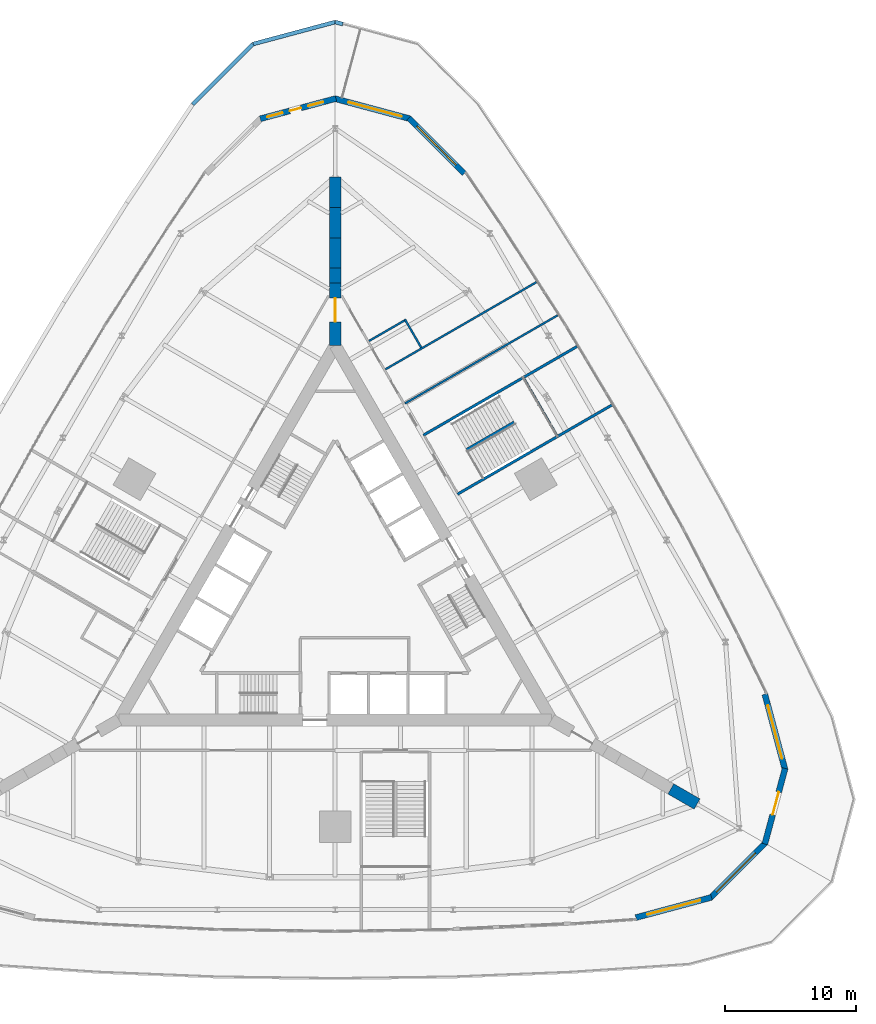
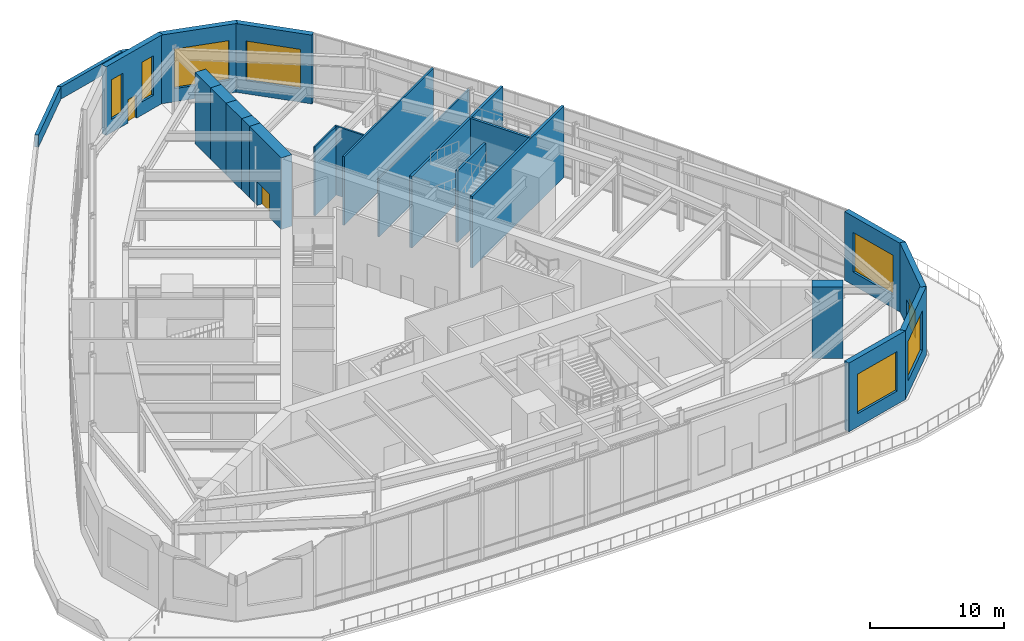
# One storey, part 14 of 19: 24 walls, 7 windows, 3 doors, 10 openings.
"""IFC4 building model written with IfcOpenShell, lengths in metres."""

from ifc_helpers import new_model, si_unit, direction, frame, frame_2d, origin, place, context, subcontext, project, spatial, rectangle, extrude, material, layer, layer_set, type_object, element, fill, save


model = new_model("IFC4")

# Units and contexts
model_context = context("Model", 3, precision=1e-05, world=origin(), true_north=direction((0.0, 1.0)))
body_context = subcontext(model_context, "Body", "Model", "MODEL_VIEW")
ifc_project = project(units=[si_unit("LENGTHUNIT", "METRE"), si_unit("AREAUNIT", "SQUARE_METRE"), si_unit("VOLUMEUNIT", "CUBIC_METRE"), si_unit("PLANEANGLEUNIT", "RADIAN"), si_unit("MASSUNIT", "GRAM", prefix="KILO")], contexts=[model_context])

# Site, building, storey
site_placement = place(None, origin())
site = spatial("IfcSite", under=ifc_project, at=site_placement, CompositionType="ELEMENT")
building_placement = place(site_placement, origin())
building = spatial("IfcBuilding", under=site, at=building_placement, Name="Trikona Tower", CompositionType="ELEMENT")
storey_placement = place(building_placement, frame((0.0, 0.0, 11.0)))
storey = spatial("IfcBuildingStorey", under=building, at=storey_placement, Name="L02", CompositionType="ELEMENT", Elevation=11.0)

# Wall, opening, window
ifc_material_1 = material(Name="Brick-faced precast concrete", Category="masonry")
ifc_layer_1 = layer(ifc_material_1, 0.449951171875)
ifc_layer_set_1 = layer_set([ifc_layer_1], Name="Brick-faced corner wall 450")
wall_type_1 = type_object("IfcWallType", Name="Brick-faced corner wall 450", PredefinedType="SOLIDWALL", material=ifc_layer_set_1)
wall_1_placement = place(storey_placement, frame((22.94189453125, -24.60888671875, 0.0), z_axis=(0.0, 0.0, 1.0), x_axis=(0.965920337451, 0.258839528858, 0.0)))
wall_1 = element("IfcWall", 1, at=wall_1_placement, inside=storey, type_object=wall_type_1, Name="External wall L02-06", PredefinedType="SOLIDWALL", context=body_context, shape_type="SweptSolid", body=[
    extrude(rectangle(XDim=5.97705078125, YDim=0.449951171875, at=frame_2d((2.988525390625, 0.0))), origin(), (0.0, 0.0, 1.0), 6.25),
])
opening_1_placement = place(wall_1_placement, frame((0.888671875, 0.0, 1.199951171875)))
opening_1 = element("IfcOpeningElement", 2, at=opening_1_placement, cuts=wall_1, Name="Opening W4236", PredefinedType="OPENING", context=body_context, shape_type="SweptSolid", body=[
    extrude(rectangle(XDim=4.199951171875, YDim=3.60009765625, at=frame_2d((2.10009765625, 1.800048828125))), frame((0.0, 0.23486328125, 0.0), z_axis=(0.0, -1.0, 0.0), x_axis=(1.0, 0.0, 0.0)), (0.0, 0.0, 1.0), 0.469970703125),
])
ifc_material_2 = material(Name="Aluminium-framed double glazing", Category="aluminium")
window_type_1 = type_object("IfcWindowType", Name="Window 4200x3600", PartitioningType="SINGLE_PANEL", PredefinedType="WINDOW", material=ifc_material_2)
window_1_placement = place(opening_1_placement, origin())
window_1 = element("IfcWindow", 3, at=window_1_placement, inside=storey, type_object=window_type_1, Name="Window L02-PRE", OverallHeight=3.60009765625, OverallWidth=4.199951171875, PartitioningType="SINGLE_PANEL", PredefinedType="WINDOW", context=body_context, shape_type="SweptSolid", body=[
    extrude(rectangle(XDim=4.199951171875, YDim=3.60009765625, at=frame_2d((2.10009765625, 1.800048828125))), frame((0.0, 0.030029296875, 0.0), z_axis=(0.0, -1.0, 0.0), x_axis=(1.0, 0.0, 0.0)), (0.0, 0.0, 1.0), 0.06005859375),
])
fill(opening_1, window_1)

wall_2_placement = place(storey_placement, frame((28.614501953125, -23.1201171875, 0.0), z_axis=(0.0, 0.0, 1.0), x_axis=(0.707086357855, 0.707127203928, 0.0)))
wall_2 = element("IfcWall", 4, at=wall_2_placement, inside=storey, type_object=wall_type_1, Name="External wall L02-07", PredefinedType="SOLIDWALL", context=body_context, shape_type="SweptSolid", body=[
    extrude(rectangle(XDim=5.97705078125, YDim=0.449951171875, at=frame_2d((2.988525390625, 0.0))), origin(), (0.0, 0.0, 1.0), 6.25),
])
opening_2_placement = place(wall_2_placement, frame((0.67041015625, 0.0, 1.199951171875)))
opening_2 = element("IfcOpeningElement", 5, at=opening_2_placement, cuts=wall_2, Name="Opening W4236", PredefinedType="OPENING", context=body_context, shape_type="SweptSolid", body=[
    extrude(rectangle(XDim=4.199951171875, YDim=3.60009765625, at=frame_2d((2.10009765625, 1.800048828125))), frame((0.0, 0.23486328125, 0.0), z_axis=(0.0, -1.0, 0.0), x_axis=(1.0, 0.0, 0.0)), (0.0, 0.0, 1.0), 0.469970703125),
])
window_2_placement = place(opening_2_placement, origin())
window_2 = element("IfcWindow", 6, at=window_2_placement, inside=storey, type_object=window_type_1, Name="Window L02-PRE", OverallHeight=3.60009765625, OverallWidth=4.199951171875, PartitioningType="SINGLE_PANEL", PredefinedType="WINDOW", context=body_context, shape_type="SweptSolid", body=[
    extrude(rectangle(XDim=4.199951171875, YDim=3.60009765625, at=frame_2d((2.10009765625, 1.800048828125))), frame((0.0, 0.030029296875, 0.0), z_axis=(0.0, -1.0, 0.0), x_axis=(1.0, 0.0, 0.0)), (0.0, 0.0, 1.0), 0.06005859375),
])
fill(opening_2, window_2)

# Wall, opening, door
wall_3_placement = place(storey_placement, frame((32.78271484375, -18.994384765625, 0.0), z_axis=(0.0, 0.0, 1.0), x_axis=(0.258801419081, 0.965930548995, 0.0)))
wall_3 = element("IfcWall", 7, at=wall_3_placement, inside=storey, type_object=wall_type_1, Name="External wall L02-08", PredefinedType="SOLIDWALL", context=body_context, shape_type="SweptSolid", body=[
    extrude(rectangle(XDim=5.97705078125, YDim=0.449951171875, at=frame_2d((2.988525390625, 0.0))), origin(), (0.0, 0.0, 1.0), 6.25),
])
opening_3_placement = place(wall_3_placement, frame((2.306884765625, 0.0, 0.0)))
opening_3 = element("IfcOpeningElement", 8, at=opening_3_placement, cuts=wall_3, Name="Opening D8", PredefinedType="OPENING", context=body_context, shape_type="SweptSolid", body=[
    extrude(rectangle(XDim=1.800048828125, YDim=2.39990234375, at=frame_2d((0.89990234375, 1.199951171875))), frame((0.0, 0.23486328125, 0.0), z_axis=(0.0, -1.0, 0.0), x_axis=(1.0, 0.0, 0.0)), (0.0, 0.0, 1.0), 0.469970703125),
])
ifc_material_3 = material(Name="Aluminium-framed glazed door", Category="aluminium")
door_type_1 = type_object("IfcDoorType", Name="Terrace door pair 1800x2400", OperationType="DOUBLE_DOOR_SINGLE_SWING", PredefinedType="DOOR", material=ifc_material_3)
door_1_placement = place(opening_3_placement, origin())
door_1 = element("IfcDoor", 9, at=door_1_placement, inside=storey, type_object=door_type_1, Name="Terrace door Prefunction foyer east", OperationType="DOUBLE_DOOR_SINGLE_SWING", OverallHeight=2.39990234375, OverallWidth=1.800048828125, PredefinedType="DOOR", context=body_context, shape_type="SweptSolid", body=[
    extrude(rectangle(XDim=1.800048828125, YDim=2.39990234375, at=frame_2d((0.89990234375, 1.199951171875))), frame((0.0, 0.02490234375, 0.0), z_axis=(0.0, -1.0, 0.0), x_axis=(1.0, 0.0, 0.0)), (0.0, 0.0, 1.0), 0.050048828125),
])
fill(opening_3, door_1)

# Wall, opening, window
wall_4_placement = place(storey_placement, frame((34.32958984375, -13.33740234375, 0.0), z_axis=(0.0, 0.0, 1.0), x_axis=(-0.258791208569, 0.965933284636, 0.0)))
wall_4 = element("IfcWall", 10, at=wall_4_placement, inside=storey, type_object=wall_type_1, Name="External wall L02-09", PredefinedType="SOLIDWALL", context=body_context, shape_type="SweptSolid", body=[
    extrude(rectangle(XDim=5.977294921875, YDim=0.449951171875, at=frame_2d((2.98876953125, 0.0))), origin(), (0.0, 0.0, 1.0), 6.25),
])
opening_4_placement = place(wall_4_placement, frame((0.888671875, 0.0, 1.199951171875)))
opening_4 = element("IfcOpeningElement", 11, at=opening_4_placement, cuts=wall_4, Name="Opening W4236", PredefinedType="OPENING", context=body_context, shape_type="SweptSolid", body=[
    extrude(rectangle(XDim=4.199951171875, YDim=3.60009765625, at=frame_2d((2.10009765625, 1.800048828125))), frame((0.0, 0.23486328125, 0.0), z_axis=(0.0, -1.0, 0.0), x_axis=(1.0, 0.0, 0.0)), (0.0, 0.0, 1.0), 0.469970703125),
])
window_3_placement = place(opening_4_placement, origin())
window_3 = element("IfcWindow", 12, at=window_3_placement, inside=storey, type_object=window_type_1, Name="Window L02-PRE2", OverallHeight=3.60009765625, OverallWidth=4.199951171875, PartitioningType="SINGLE_PANEL", PredefinedType="WINDOW", context=body_context, shape_type="SweptSolid", body=[
    extrude(rectangle(XDim=4.199951171875, YDim=3.60009765625, at=frame_2d((2.10009765625, 1.800048828125))), frame((0.0, 0.030029296875, 0.0), z_axis=(0.0, -1.0, 0.0), x_axis=(1.0, 0.0, 0.0)), (0.0, 0.0, 1.0), 0.06005859375),
])
fill(opening_4, window_3)

wall_5_placement = place(storey_placement, frame((9.8408203125, 32.172607421875, 0.0), z_axis=(0.0, 0.0, 1.0), x_axis=(-0.707106781187, 0.707106781187, 0.0)))
wall_5 = element("IfcWall", 13, at=wall_5_placement, inside=storey, type_object=wall_type_1, Name="External wall L02-16", PredefinedType="SOLIDWALL", context=body_context, shape_type="SweptSolid", body=[
    extrude(rectangle(XDim=5.976806640625, YDim=0.449951171875, at=frame_2d((2.98828125, 0.0))), origin(), (0.0, 0.0, 1.0), 6.25),
])
opening_5_placement = place(wall_5_placement, frame((0.888671875, 0.0, 1.199951171875)))
opening_5 = element("IfcOpeningElement", 14, at=opening_5_placement, cuts=wall_5, Name="Opening W4236", PredefinedType="OPENING", context=body_context, shape_type="SweptSolid", body=[
    extrude(rectangle(XDim=4.199951171875, YDim=3.60009765625, at=frame_2d((2.10009765625, 1.800048828125))), frame((0.0, 0.23486328125, 0.0), z_axis=(0.0, -1.0, 0.0), x_axis=(1.0, 0.0, 0.0)), (0.0, 0.0, 1.0), 0.469970703125),
])
window_4_placement = place(opening_5_placement, origin())
window_4 = element("IfcWindow", 15, at=window_4_placement, inside=storey, type_object=window_type_1, Name="Window L02-BKT", OverallHeight=3.60009765625, OverallWidth=4.199951171875, PartitioningType="SINGLE_PANEL", PredefinedType="WINDOW", context=body_context, shape_type="SweptSolid", body=[
    extrude(rectangle(XDim=4.199951171875, YDim=3.60009765625, at=frame_2d((2.10009765625, 1.800048828125))), frame((0.0, 0.030029296875, 0.0), z_axis=(0.0, -1.0, 0.0), x_axis=(1.0, 0.0, 0.0)), (0.0, 0.0, 1.0), 0.06005859375),
])
fill(opening_5, window_4)

wall_6_placement = place(storey_placement, frame((5.71533203125, 36.3408203125, 0.0), z_axis=(0.0, 0.0, 1.0), x_axis=(-0.965930548995, 0.258801419081, 0.0)))
wall_6 = element("IfcWall", 16, at=wall_6_placement, inside=storey, type_object=wall_type_1, Name="External wall L02-17", PredefinedType="SOLIDWALL", context=body_context, shape_type="SweptSolid", body=[
    extrude(rectangle(XDim=5.97705078125, YDim=0.449951171875, at=frame_2d((2.988525390625, 0.0))), origin(), (0.0, 0.0, 1.0), 6.25),
])
opening_6_placement = place(wall_6_placement, frame((0.669921875, 0.0, 1.199951171875)))
opening_6 = element("IfcOpeningElement", 17, at=opening_6_placement, cuts=wall_6, Name="Opening W4236", PredefinedType="OPENING", context=body_context, shape_type="SweptSolid", body=[
    extrude(rectangle(XDim=4.199951171875, YDim=3.60009765625, at=frame_2d((2.10009765625, 1.800048828125))), frame((0.0, 0.23486328125, 0.0), z_axis=(0.0, -1.0, 0.0), x_axis=(1.0, 0.0, 0.0)), (0.0, 0.0, 1.0), 0.469970703125),
])
window_5_placement = place(opening_6_placement, origin())
window_5 = element("IfcWindow", 18, at=window_5_placement, inside=storey, type_object=window_type_1, Name="Window L02-BKT", OverallHeight=3.60009765625, OverallWidth=4.199951171875, PartitioningType="SINGLE_PANEL", PredefinedType="WINDOW", context=body_context, shape_type="SweptSolid", body=[
    extrude(rectangle(XDim=4.199951171875, YDim=3.60009765625, at=frame_2d((2.10009765625, 1.800048828125))), frame((0.0, 0.030029296875, 0.0), z_axis=(0.0, -1.0, 0.0), x_axis=(1.0, 0.0, 0.0)), (0.0, 0.0, 1.0), 0.06005859375),
])
fill(opening_6, window_5)

# Wall, openings, door, windows
wall_7_placement = place(storey_placement, frame((0.05810546875, 37.8876953125, 0.0), z_axis=(0.0, 0.0, 1.0), x_axis=(-0.965930548995, -0.258801419081, 0.0)))
wall_7 = element("IfcWall", 19, at=wall_7_placement, inside=storey, type_object=wall_type_1, Name="External wall L02-18", PredefinedType="SOLIDWALL", context=body_context, shape_type="SweptSolid", body=[
    extrude(rectangle(XDim=5.97705078125, YDim=0.449951171875, at=frame_2d((2.988525390625, 0.0))), origin(), (0.0, 0.0, 1.0), 6.25),
])
opening_7_placement = place(wall_7_placement, frame((2.7568359375, 0.0, 0.0)))
opening_7 = element("IfcOpeningElement", 20, at=opening_7_placement, cuts=wall_7, Name="Opening D17", PredefinedType="OPENING", context=body_context, shape_type="SweptSolid", body=[
    extrude(rectangle(XDim=0.89990234375, YDim=2.1298828125, at=frame_2d((0.449951171875, 1.06494140625))), frame((0.0, 0.23486328125, 0.0), z_axis=(0.0, -1.0, 0.0), x_axis=(1.0, 0.0, 0.0)), (0.0, 0.0, 1.0), 0.469970703125),
])
opening_8_placement = place(wall_7_placement, frame((0.99658203125, 0.0, 1.199951171875)))
opening_8 = element("IfcOpeningElement", 21, at=opening_8_placement, cuts=wall_7, Name="Opening W1236", PredefinedType="OPENING", context=body_context, shape_type="SweptSolid", body=[
    extrude(rectangle(XDim=1.199951171875, YDim=3.60009765625, at=frame_2d((0.60009765625, 1.800048828125))), frame((0.0, 0.23486328125, 0.0), z_axis=(0.0, -1.0, 0.0), x_axis=(1.0, 0.0, 0.0)), (0.0, 0.0, 1.0), 0.469970703125),
])
opening_9_placement = place(wall_7_placement, frame((4.217041015625, 0.0, 1.199951171875)))
opening_9 = element("IfcOpeningElement", 22, at=opening_9_placement, cuts=wall_7, Name="Opening W1236", PredefinedType="OPENING", context=body_context, shape_type="SweptSolid", body=[
    extrude(rectangle(XDim=1.199951171875, YDim=3.60009765625, at=frame_2d((0.60009765625, 1.800048828125))), frame((0.0, 0.23486328125, 0.0), z_axis=(0.0, -1.0, 0.0), x_axis=(1.0, 0.0, 0.0)), (0.0, 0.0, 1.0), 0.469970703125),
])
ifc_material_4 = material(Name="Insulated steel door and frame", Category="steel")
door_type_2 = type_object("IfcDoorType", Name="Maintenance roof access door 900x2130", OperationType="SINGLE_SWING_LEFT", PredefinedType="DOOR", material=ifc_material_4)
door_2_placement = place(opening_7_placement, origin())
door_2 = element("IfcDoor", 23, at=door_2_placement, inside=storey, type_object=door_type_2, Name="Maintenance access door Banquet back of house", OperationType="SINGLE_SWING_RIGHT", OverallHeight=2.1298828125, OverallWidth=0.89990234375, PredefinedType="DOOR", context=body_context, shape_type="SweptSolid", body=[
    extrude(rectangle(XDim=0.89990234375, YDim=2.1298828125, at=frame_2d((0.449951171875, 1.06494140625))), frame((0.0, 0.02490234375, 0.0), z_axis=(0.0, -1.0, 0.0), x_axis=(1.0, 0.0, 0.0)), (0.0, 0.0, 1.0), 0.050048828125),
])
fill(opening_7, door_2)
ifc_material_5 = material(Name="Aluminium-framed double glazing", Category="aluminium")
window_type_2 = type_object("IfcWindowType", Name="Window 1200x3600", PartitioningType="SINGLE_PANEL", PredefinedType="WINDOW", material=ifc_material_5)
window_6_placement = place(opening_8_placement, origin())
window_6 = element("IfcWindow", 24, at=window_6_placement, inside=storey, type_object=window_type_2, Name="Window L02-BOH", OverallHeight=3.60009765625, OverallWidth=1.199951171875, PartitioningType="SINGLE_PANEL", PredefinedType="WINDOW", context=body_context, shape_type="SweptSolid", body=[
    extrude(rectangle(XDim=1.199951171875, YDim=3.60009765625, at=frame_2d((0.60009765625, 1.800048828125))), frame((0.0, 0.030029296875, 0.0), z_axis=(0.0, -1.0, 0.0), x_axis=(1.0, 0.0, 0.0)), (0.0, 0.0, 1.0), 0.06005859375),
])
fill(opening_8, window_6)
window_7_placement = place(opening_9_placement, origin())
window_7 = element("IfcWindow", 25, at=window_7_placement, inside=storey, type_object=window_type_2, Name="Window L02-BOH", OverallHeight=3.60009765625, OverallWidth=1.199951171875, PartitioningType="SINGLE_PANEL", PredefinedType="WINDOW", context=body_context, shape_type="SweptSolid", body=[
    extrude(rectangle(XDim=1.199951171875, YDim=3.60009765625, at=frame_2d((0.60009765625, 1.800048828125))), frame((0.0, 0.030029296875, 0.0), z_axis=(0.0, -1.0, 0.0), x_axis=(1.0, 0.0, 0.0)), (0.0, 0.0, 1.0), 0.06005859375),
])
fill(opening_9, window_7)

# Wall
ifc_material_6 = material(Name="Concrete f'c 10000 psi", Category="concrete")
ifc_layer_2 = layer(ifc_material_6, 0.89990234375)
ifc_layer_set_2 = layer_set([ifc_layer_2], Name="Buttress wall 900")
wall_type_2 = type_object("IfcWallType", Name="Buttress wall 900", PredefinedType="SHEAR", material=ifc_layer_set_2)
wall_8_placement = place(storey_placement, frame((25.6103515625, -14.7861328125, 0.0), z_axis=(0.0, 0.0, 1.0), x_axis=(0.866009537788, -0.500027479704, 0.0)))
element("IfcWall", 26, at=wall_8_placement, inside=storey, type_object=wall_type_2, Name="Buttress wall 1 part 5", PredefinedType="SHEAR", context=body_context, shape_type="SweptSolid", body=[
    extrude(rectangle(XDim=2.309326171875, YDim=0.89990234375, at=frame_2d((1.15478515625, 0.0))), origin(), (0.0, 0.0, 1.0), 6.5),
])

# Wall, opening, door
wall_9_placement = place(storey_placement, frame((0.0, 19.052490234375, 0.0), z_axis=(0.0, 0.0, 1.0), x_axis=(0.0, 1.0, 0.0)))
wall_9 = element("IfcWall", 27, at=wall_9_placement, inside=storey, type_object=wall_type_2, Name="Buttress wall 2", PredefinedType="SHEAR", context=body_context, shape_type="SweptSolid", body=[
    extrude(rectangle(XDim=4.74609375, YDim=0.89990234375, at=frame_2d((2.373046875, 0.0))), origin(), (0.0, 0.0, 1.0), 6.5),
])
opening_10_placement = place(wall_9_placement, frame((1.800048828125, 0.0, 0.0)))
opening_10 = element("IfcOpeningElement", 28, at=opening_10_placement, cuts=wall_9, Name="Opening D10", PredefinedType="OPENING", context=body_context, shape_type="SweptSolid", body=[
    extrude(rectangle(XDim=1.800048828125, YDim=2.1298828125, at=frame_2d((0.89990234375, 1.06494140625))), frame((0.0, 0.4599609375, 0.0), z_axis=(0.0, -1.0, 0.0), x_axis=(1.0, 0.0, 0.0)), (0.0, 0.0, 1.0), 0.919921875),
])
ifc_material_7 = material(Name="Hollow metal door and frame", Category="steel")
door_type_3 = type_object("IfcDoorType", Name="Cross-corridor door pair 1800x2130", OperationType="DOUBLE_DOOR_DOUBLE_SWING", PredefinedType="DOOR", material=ifc_material_7)
door_3_placement = place(opening_10_placement, origin())
door_3 = element("IfcDoor", 29, at=door_3_placement, inside=storey, type_object=door_type_3, Name="Cross-corridor door 2", OperationType="DOUBLE_DOOR_DOUBLE_SWING", OverallHeight=2.1298828125, OverallWidth=1.800048828125, PredefinedType="DOOR", context=body_context, shape_type="SweptSolid", body=[
    extrude(rectangle(XDim=1.800048828125, YDim=2.1298828125, at=frame_2d((0.89990234375, 1.06494140625))), frame((0.0, 0.02490234375, 0.0), z_axis=(0.0, -1.0, 0.0), x_axis=(1.0, 0.0, 0.0)), (0.0, 0.0, 1.0), 0.050048828125),
])
fill(opening_10, door_3)

# Walls
wall_10_placement = place(storey_placement, frame((0.0, 23.798583984375, 0.0), z_axis=(0.0, 0.0, 1.0), x_axis=(0.0, 1.0, 0.0)))
element("IfcWall", 30, at=wall_10_placement, inside=storey, type_object=wall_type_2, Name="Buttress wall 2 part 2", PredefinedType="SHEAR", context=body_context, shape_type="SweptSolid", body=[
    extrude(rectangle(XDim=1.15478515625, YDim=0.89990234375, at=frame_2d((0.577392578125, 0.0))), origin(), (0.0, 0.0, 1.0), 6.5),
])
wall_11_placement = place(storey_placement, frame((0.0, 24.953369140625, 0.0), z_axis=(0.0, 0.0, 1.0), x_axis=(0.0, 1.0, 0.0)))
element("IfcWall", 31, at=wall_11_placement, inside=storey, type_object=wall_type_2, Name="Buttress wall 2 part 3", PredefinedType="SHEAR", context=body_context, shape_type="SweptSolid", body=[
    extrude(rectangle(XDim=2.309326171875, YDim=0.89990234375, at=frame_2d((1.15478515625, 0.0))), origin(), (0.0, 0.0, 1.0), 6.5),
])
wall_12_placement = place(storey_placement, frame((0.0, 27.2626953125, 0.0), z_axis=(0.0, 0.0, 1.0), x_axis=(0.0, 1.0, 0.0)))
element("IfcWall", 32, at=wall_12_placement, inside=storey, type_object=wall_type_2, Name="Buttress wall 2 part 4", PredefinedType="SHEAR", context=body_context, shape_type="SweptSolid", body=[
    extrude(rectangle(XDim=2.3095703125, YDim=0.89990234375, at=frame_2d((1.15478515625, 0.0))), origin(), (0.0, 0.0, 1.0), 6.5),
])
wall_13_placement = place(storey_placement, frame((0.0, 29.572265625, 0.0), z_axis=(0.0, 0.0, 1.0), x_axis=(0.0, 1.0, 0.0)))
element("IfcWall", 33, at=wall_13_placement, inside=storey, type_object=wall_type_2, Name="Buttress wall 2 part 5", PredefinedType="SHEAR", context=body_context, shape_type="SweptSolid", body=[
    extrude(rectangle(XDim=2.309326171875, YDim=0.89990234375, at=frame_2d((1.15478515625, 0.0))), origin(), (0.0, 0.0, 1.0), 6.5),
])
ifc_material_8 = material(Name="Brick-faced precast concrete", Category="masonry")
ifc_layer_3 = layer(ifc_material_8, 0.300048828125)
ifc_layer_set_3 = layer_set([ifc_layer_3], Name="Parapet wall 300")
wall_type_3 = type_object("IfcWallType", Name="Parapet wall 300", PredefinedType="PARAPET", material=ifc_layer_set_3)
wall_14_placement = place(storey_placement, frame((-10.883544921875, 37.43212890625, 0.0), z_axis=(0.0, 0.0, 1.0), x_axis=(0.707106781187, 0.707106781187, 0.0)))
element("IfcWall", 34, at=wall_14_placement, inside=storey, type_object=wall_type_3, Name="Green roof parapet L02-1-09", PredefinedType="PARAPET", context=body_context, shape_type="SweptSolid", body=[
    extrude(rectangle(XDim=6.52001953125, YDim=0.300048828125, at=frame_2d((3.260009765625, 0.0))), origin(), (0.0, 0.0, 1.0), 1.10009765625),
])
wall_15_placement = place(storey_placement, frame((-6.273193359375, 42.04248046875, 0.0), z_axis=(0.0, 0.0, 1.0), x_axis=(0.965925398675, 0.258820640976, 0.0)))
element("IfcWall", 35, at=wall_15_placement, inside=storey, type_object=wall_type_3, Name="Green roof parapet L02-1-10", PredefinedType="PARAPET", context=body_context, shape_type="SweptSolid", body=[
    extrude(rectangle(XDim=6.494384765625, YDim=0.300048828125, at=frame_2d((3.2470703125, 0.0))), origin(), (0.0, 0.0, 1.0), 1.10009765625),
])
wall_16_placement = place(storey_placement, frame((0.0, 43.723388671875, 0.0), z_axis=(0.0, 0.0, 1.0), x_axis=(0.965937155273, -0.258776761059, 0.0)))
element("IfcWall", 36, at=wall_16_placement, inside=storey, type_object=wall_type_3, Name="Green roof parapet L02-1-11", PredefinedType="PARAPET", context=body_context, shape_type="SweptSolid", body=[
    extrude(rectangle(XDim=0.60009765625, YDim=0.300048828125, at=frame_2d((0.300048828125, 0.0))), origin(), (0.0, 0.0, 1.0), 1.10009765625),
])
ifc_material_9 = material(Name="Metal stud and gypsum board, 1-hour acoustic", Category="gypsum")
ifc_layer_4 = layer(ifc_material_9, 0.14990234375)
ifc_layer_set_4 = layer_set([ifc_layer_4], Name="Party wall 150")
wall_type_4 = type_object("IfcWallType", Name="Party wall 150", PredefinedType="PARTITIONING", material=ifc_layer_set_4)
wall_17_placement = place(storey_placement, frame((5.32861328125, 14.623291015625, 0.0), z_axis=(0.0, 0.0, 1.0), x_axis=(0.866024753221, 0.500001126807, 0.0)))
element("IfcWall", 37, at=wall_17_placement, inside=storey, type_object=wall_type_4, Name="Partition L02 F2 u10", PredefinedType="PARTITIONING", context=body_context, shape_type="SweptSolid", body=[
    extrude(rectangle(XDim=13.4482421875, YDim=0.14990234375, at=frame_2d((6.72412109375, 0.0))), origin(), (0.0, 0.0, 1.0), 5.3076171875),
])
wall_18_placement = place(storey_placement, frame((3.82861328125, 17.221435546875, 0.0), z_axis=(0.0, 0.0, 1.0), x_axis=(0.866019382877, 0.500010428373, 0.0)))
element("IfcWall", 38, at=wall_18_placement, inside=storey, type_object=wall_type_4, Name="Partition L02 F2 u13", PredefinedType="PARTITIONING", context=body_context, shape_type="SweptSolid", body=[
    extrude(rectangle(XDim=13.307373046875, YDim=0.14990234375, at=frame_2d((6.65380859375, 0.0))), origin(), (0.0, 0.0, 1.0), 6.25),
])
wall_19_placement = place(storey_placement, frame((6.562255859375, 18.886474609375, 0.0), z_axis=(0.0, 0.0, 1.0), x_axis=(-0.500004234368, 0.866022959057, 0.0)))
element("IfcWall", 39, at=wall_19_placement, inside=storey, type_object=wall_type_4, Name="Partition L02 F2 u13 back", PredefinedType="PARTITIONING", context=body_context, shape_type="SweptSolid", body=[
    extrude(rectangle(XDim=2.5, YDim=0.14990234375, at=frame_2d((1.25, 0.0))), origin(), (0.0, 0.0, 1.0), 6.25),
])
wall_20_placement = place(storey_placement, frame((2.57861328125, 19.386474609375, 0.0), z_axis=(0.0, 0.0, 1.0), x_axis=(0.866022959057, 0.500004234368, 0.0)))
element("IfcWall", 40, at=wall_20_placement, inside=storey, type_object=wall_type_4, Name="Partition L02 F2 u15.5", PredefinedType="PARTITIONING", context=body_context, shape_type="SweptSolid", body=[
    extrude(rectangle(XDim=3.125, YDim=0.14990234375, at=frame_2d((1.5625, 0.0))), origin(), (0.0, 0.0, 1.0), 6.25),
])
ifc_material_10 = material(Name="Concrete f'c 6000 psi", Category="concrete")
ifc_layer_5 = layer(ifc_material_10, 0.199951171875)
ifc_layer_set_5 = layer_set([ifc_layer_5], Name="Stair enclosure wall 200")
wall_type_5 = type_object("IfcWallType", Name="Stair enclosure wall 200", PredefinedType="SHEAR", material=ifc_layer_set_5)
wall_21_placement = place(storey_placement, frame((9.32861328125, 7.6953125, 0.0), z_axis=(0.0, 0.0, 1.0), x_axis=(0.866029620801, 0.499992695841, 0.0)))
element("IfcWall", 41, at=wall_21_placement, inside=storey, type_object=wall_type_5, Name="Stair enclosure L02 F2 u2", PredefinedType="SHEAR", context=body_context, shape_type="SweptSolid", body=[
    extrude(rectangle(XDim=13.607177734375, YDim=0.199951171875, at=frame_2d((6.8037109375, 0.0))), origin(), (0.0, 0.0, 1.0), 6.5),
])
wall_22_placement = place(storey_placement, frame((6.728515625, 12.198486328125, 0.0), z_axis=(0.0, 0.0, 1.0), x_axis=(0.866022969634, 0.500004216049, 0.0)))
element("IfcWall", 42, at=wall_22_placement, inside=storey, type_object=wall_type_5, Name="Stair enclosure L02 F2 u7.2", PredefinedType="SHEAR", context=body_context, shape_type="SweptSolid", body=[
    extrude(rectangle(XDim=13.52587890625, YDim=0.199951171875, at=frame_2d((6.762939453125, 0.0))), origin(), (0.0, 0.0, 1.0), 6.5),
])
wall_23_placement = place(storey_placement, frame((16.949462890625, 12.09521484375, 0.0), z_axis=(0.0, 0.0, 1.0), x_axis=(-0.499992051641, 0.866029992723, 0.0)))
element("IfcWall", 43, at=wall_23_placement, inside=storey, type_object=wall_type_5, Name="Podium stair PS2 end wall", PredefinedType="SHEAR", context=body_context, shape_type="SweptSolid", body=[
    extrude(rectangle(XDim=5.19970703125, YDim=0.199951171875, at=frame_2d((2.599853515625, 0.0))), origin(), (0.0, 0.0, 1.0), 6.5),
])
ifc_material_11 = material(Name="Concrete f'c 5000 psi", Category="concrete")
ifc_layer_6 = layer(ifc_material_11, 0.2001953125)
ifc_layer_set_6 = layer_set([ifc_layer_6], Name="Stair spine wall 200")
wall_type_6 = type_object("IfcWallType", Name="Stair spine wall 200", PredefinedType="SOLIDWALL", material=ifc_layer_set_6)
wall_24_placement = place(storey_placement, frame((10.02294921875, 11.098388671875, 0.0), z_axis=(0.0, 0.0, 1.0), x_axis=(0.866031452229, 0.49998952364, 0.0)))
element("IfcWall", 44, at=wall_24_placement, inside=storey, type_object=wall_type_6, Name="Podium stair PS2 spine wall L02", PredefinedType="SOLIDWALL", context=body_context, shape_type="SweptSolid", body=[
    extrude(rectangle(XDim=4.19384765625, YDim=0.199951171875, at=frame_2d((2.096923828125, 0.0))), origin(), (0.0, 0.0, 1.0), 6.5),
])

save(model, "model.ifc")
